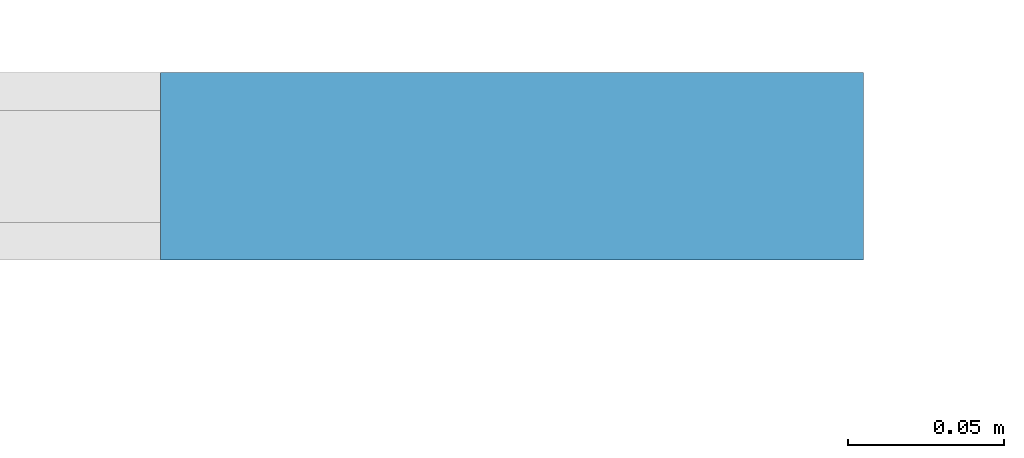
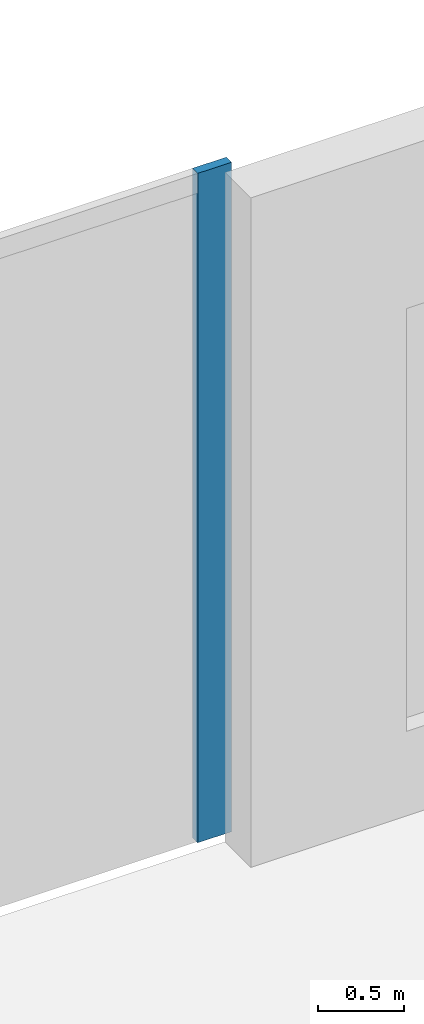
# One storey, part 21 of 47: 1 member, 1 element without a shape of its own.
"""IFC4 building model written with IfcOpenShell, lengths in metres."""

from ifc_helpers import new_model, si_unit, direction, frame, origin, origin_2d, place, context, subcontext, project, spatial, rectangle, extrude, material, layer, layer_set, material_profile, profile_set, type_object, element, aggregate, save


model = new_model("IFC4")

# Units and contexts
model_context = context("Model", 3, precision=1e-05, world=origin(), true_north=direction((0.0, 1.0)))
body_context = subcontext(model_context, "Body", "Model", "MODEL_VIEW")
ifc_project = project(units=[si_unit("LENGTHUNIT", "METRE"), si_unit("AREAUNIT", "SQUARE_METRE"), si_unit("VOLUMEUNIT", "CUBIC_METRE"), si_unit("PLANEANGLEUNIT", "RADIAN"), si_unit("MASSUNIT", "GRAM", prefix="KILO")], contexts=[model_context])

# Site, building, storey
site_placement = place(None, origin())
site = spatial("IfcSite", under=ifc_project, at=site_placement, CompositionType="ELEMENT")
building_placement = place(site_placement, origin())
building = spatial("IfcBuilding", under=site, at=building_placement, Name="Kheshtan School and Residences Tower", CompositionType="ELEMENT")
storey_placement = place(building_placement, frame((0.0, 0.0, 7.5)))
storey = spatial("IfcBuildingStorey", under=building, at=storey_placement, Name="L01", CompositionType="ELEMENT", Elevation=7.5)

# Curtain wall, member
ifc_material_1 = material(Name="Clear low-e glass in thermally broken aluminium frame", Category="aluminium")
ifc_layer = layer(ifc_material_1, 0.22509765625)
ifc_layer_set = layer_set([ifc_layer], Name="Curtain wall CW-P")
curtain_wall_type = type_object("IfcCurtainWallType", Name="Curtain wall CW-P", PredefinedType="NOTDEFINED", material=ifc_layer_set)
curtain_wall_placement = place(storey_placement, origin())
curtain_wall = element("IfcCurtainWall", 1, at=curtain_wall_placement, inside=storey, type_object=curtain_wall_type, Name="Curtain wall CWP4", PredefinedType="NOTDEFINED")
ifc_material_2 = material(Name="Thermally broken aluminium, dark bronze anodised", Category="aluminium")
ifc_material_profile = material_profile(ifc_material_2, rectangle(XDim=0.06005859375, YDim=0.22509765625, at=origin_2d()), Name="CW-P mullion 60x225")
ifc_profile_set = profile_set([ifc_material_profile], Name="Thermally broken aluminium, dark bronze anodised")
member_type = type_object("IfcMemberType", Name="CW-P mullion 60x225", PredefinedType="MULLION", material=ifc_profile_set)
member_placement = place(storey_placement, frame((78.449951171875, 110.10009765625, 0.0), z_axis=(0.0, 0.0, 1.0), x_axis=(0.0, 1.0, 0.0)))
member = element("IfcMember", 2, at=member_placement, type_object=member_type, Name="CWP4 mullion 12", PredefinedType="MULLION", context=body_context, shape_type="SweptSolid", body=[
    extrude(rectangle(XDim=0.06005859375, YDim=0.22509765625, at=origin_2d()), origin(), (0.0, 0.0, 1.0), 4.75),
])
aggregate(curtain_wall, [member])

save(model, "model.ifc")
